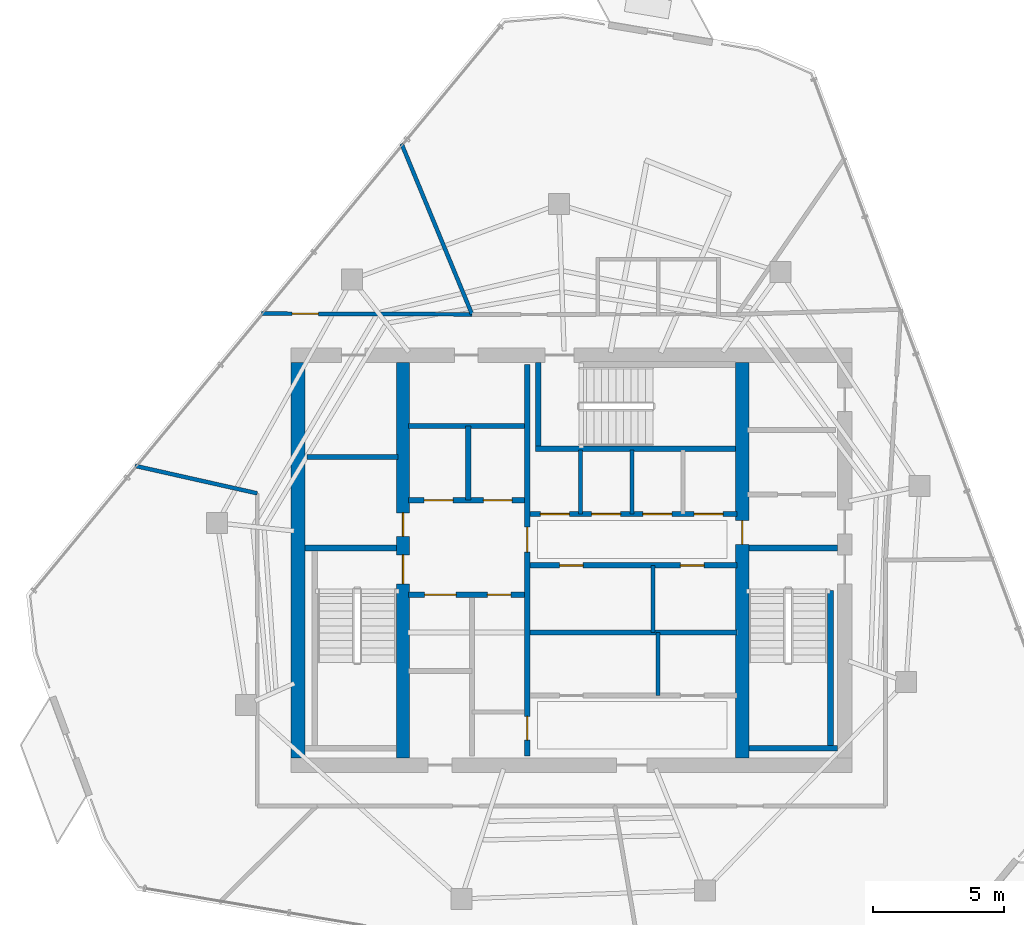
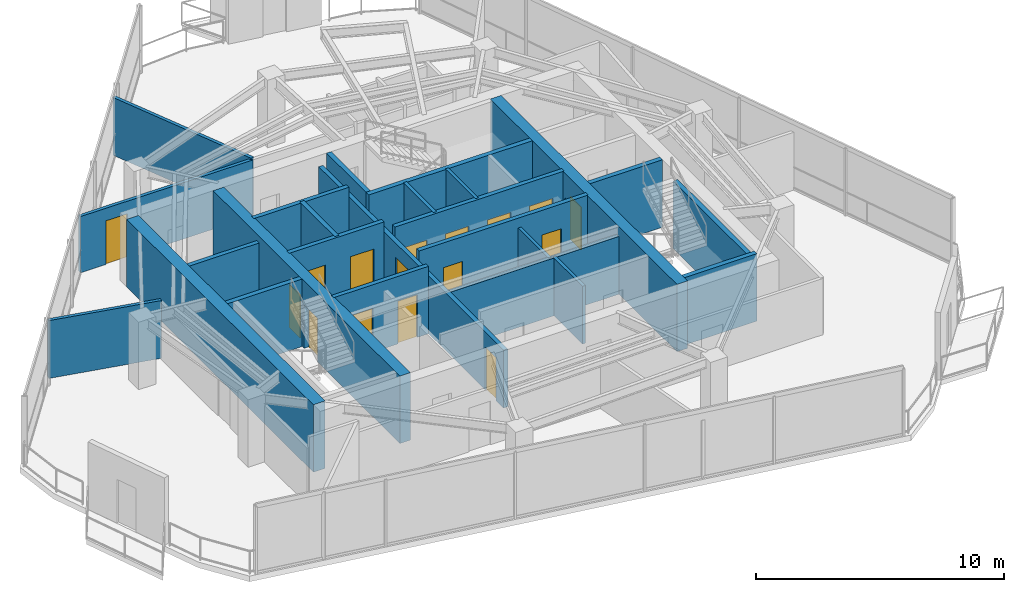
# One storey, part 15 of 19: 25 walls, 16 doors, 16 openings.
"""IFC4 building model written with IfcOpenShell, lengths in metres."""

from ifc_helpers import new_model, si_unit, direction, frame, frame_2d, origin, place, context, subcontext, project, spatial, rectangle, extrude, material, layer, layer_set, type_object, element, fill, save


model = new_model("IFC4")

# Units and contexts
model_context = context("Model", 3, precision=1e-05, world=origin(), true_north=direction((0.0, 1.0)))
body_context = subcontext(model_context, "Body", "Model", "MODEL_VIEW")
ifc_project = project(units=[si_unit("LENGTHUNIT", "METRE"), si_unit("AREAUNIT", "SQUARE_METRE"), si_unit("VOLUMEUNIT", "CUBIC_METRE"), si_unit("PLANEANGLEUNIT", "RADIAN"), si_unit("MASSUNIT", "GRAM", prefix="KILO")], contexts=[model_context])

# Site, building, storey
site_placement = place(None, origin())
site = spatial("IfcSite", under=ifc_project, at=site_placement, CompositionType="ELEMENT")
building_placement = place(site_placement, origin())
building = spatial("IfcBuilding", under=site, at=building_placement, Name="Qarnah Convention Tower", CompositionType="ELEMENT")
storey_placement = place(building_placement, frame((0.0, 0.0, 257.10009765625)))
storey = spatial("IfcBuildingStorey", under=building, at=storey_placement, Name="L69", CompositionType="ELEMENT", Elevation=257.10009765625)

# Wall
ifc_material_1 = material(Name="Concrete C60/75", Category="concrete")
ifc_layer_1 = layer(ifc_material_1, 0.550048828125)
ifc_layer_set_1 = layer_set([ifc_layer_1], Name="Concrete C60/75")
wall_type_1 = type_object("IfcWallType", Name="WL-CORE-550", PredefinedType="SHEAR", material=ifc_layer_set_1)
wall_1_placement = place(storey_placement, frame((26.800048828125, 18.875, 0.0), z_axis=(0.0, 0.0, 1.0), x_axis=(0.0, 1.0, 0.0)))
element("IfcWall", 1, at=wall_1_placement, inside=storey, type_object=wall_type_1, Name="L69 core west shear wall", PredefinedType="SHEAR", context=body_context, shape_type="SweptSolid", body=[
    extrude(rectangle(XDim=15.050048828125, YDim=0.550048828125, at=frame_2d((7.52490234375, 0.0))), origin(), (0.0, 0.0, 1.0), 3.31982421875),
])

# Wall, openings, doors
ifc_layer_2 = layer(ifc_material_1, 0.5)
ifc_layer_set_2 = layer_set([ifc_layer_2], Name="Concrete C60/75")
wall_type_2 = type_object("IfcWallType", Name="WL-CORE-INT-400", PredefinedType="SHEAR", material=ifc_layer_set_2)
wall_2_placement = place(storey_placement, frame((30.800048828125, 18.875, 0.0), z_axis=(0.0, 0.0, 1.0), x_axis=(0.0, 1.0, 0.0)))
wall_2 = element("IfcWall", 2, at=wall_2_placement, inside=storey, type_object=wall_type_2, Name="L69 core west spine shear wall", PredefinedType="SHEAR", context=body_context, shape_type="SweptSolid", body=[
    extrude(rectangle(XDim=15.050048828125, YDim=0.5, at=frame_2d((7.52490234375, 0.0))), origin(), (0.0, 0.0, 1.0), 3.31982421875),
])
opening_1_placement = place(wall_2_placement, frame((6.625, 0.0, 0.0)))
opening_1 = element("IfcOpeningElement", 3, at=opening_1_placement, cuts=wall_2, Name="Opening D-6901", PredefinedType="OPENING", context=body_context, shape_type="SweptSolid", body=[
    extrude(rectangle(XDim=1.10009765625, YDim=2.14990234375, at=frame_2d((0.550048828125, 1.074951171875))), frame((0.0, 0.260009765625, 0.0), z_axis=(0.0, -1.0, 0.0), x_axis=(1.0, 0.0, 0.0)), (0.0, 0.0, 1.0), 0.52001953125),
])
opening_2_placement = place(wall_2_placement, frame((8.425048828125, 0.0, 0.0)))
opening_2 = element("IfcOpeningElement", 4, at=opening_2_placement, cuts=wall_2, Name="Opening D-6908", PredefinedType="OPENING", context=body_context, shape_type="SweptSolid", body=[
    extrude(rectangle(XDim=0.89990234375, YDim=2.10009765625, at=frame_2d((0.449951171875, 1.050048828125))), frame((0.0, 0.260009765625, 0.0), z_axis=(0.0, -1.0, 0.0), x_axis=(1.0, 0.0, 0.0)), (0.0, 0.0, 1.0), 0.52001953125),
])
ifc_material_2 = material(Name="Structural steel S355JR", Category="steel")
door_type_1 = type_object("IfcDoorType", Name="DT-RISER-900", OperationType="NOTDEFINED", PredefinedType="DOOR", material=ifc_material_2)
door_1_placement = place(opening_2_placement, origin())
door_1 = element("IfcDoor", 5, at=door_1_placement, inside=storey, type_object=door_type_1, Name="Door D-6908", OperationType="SINGLE_SWING_RIGHT", OverallHeight=2.10009765625, OverallWidth=0.89990234375, PredefinedType="DOOR", context=body_context, shape_type="SweptSolid", body=[
    extrude(rectangle(XDim=0.89990234375, YDim=2.10009765625, at=frame_2d((0.449951171875, 1.050048828125))), frame((0.0, 0.02490234375, 0.0), z_axis=(0.0, -1.0, 0.0), x_axis=(1.0, 0.0, 0.0)), (0.0, 0.0, 1.0), 0.050048828125),
])
fill(opening_2, door_1)
door_type_2 = type_object("IfcDoorType", Name="DT-STAIR-1100", OperationType="NOTDEFINED", PredefinedType="DOOR", material=ifc_material_2)
door_2_placement = place(opening_1_placement, origin())
door_2 = element("IfcDoor", 6, at=door_2_placement, inside=storey, type_object=door_type_2, Name="Door D-6901", OperationType="SINGLE_SWING_LEFT", OverallHeight=2.14990234375, OverallWidth=1.10009765625, PredefinedType="DOOR", context=body_context, shape_type="SweptSolid", body=[
    extrude(rectangle(XDim=1.10009765625, YDim=2.14990234375, at=frame_2d((0.550048828125, 1.074951171875))), frame((0.0, 0.02490234375, 0.0), z_axis=(0.0, -1.0, 0.0), x_axis=(1.0, 0.0, 0.0)), (0.0, 0.0, 1.0), 0.050048828125),
])
fill(opening_1, door_2)

# Wall, opening, door
wall_3_placement = place(storey_placement, frame((43.699951171875, 18.875, 0.0), z_axis=(0.0, 0.0, 1.0), x_axis=(0.0, 1.0, 0.0)))
wall_3 = element("IfcWall", 7, at=wall_3_placement, inside=storey, type_object=wall_type_2, Name="L69 core east spine shear wall", PredefinedType="SHEAR", context=body_context, shape_type="SweptSolid", body=[
    extrude(rectangle(XDim=15.050048828125, YDim=0.5, at=frame_2d((7.52490234375, 0.0))), origin(), (0.0, 0.0, 1.0), 3.31982421875),
])
opening_3_placement = place(wall_3_placement, frame((8.125, 0.0, 0.0)))
opening_3 = element("IfcOpeningElement", 8, at=opening_3_placement, cuts=wall_3, Name="Opening D-6905", PredefinedType="OPENING", context=body_context, shape_type="SweptSolid", body=[
    extrude(rectangle(XDim=0.89990234375, YDim=2.10009765625, at=frame_2d((0.449951171875, 1.050048828125))), frame((0.0, 0.260009765625, 0.0), z_axis=(0.0, -1.0, 0.0), x_axis=(1.0, 0.0, 0.0)), (0.0, 0.0, 1.0), 0.52001953125),
])
door_3_placement = place(opening_3_placement, origin())
door_3 = element("IfcDoor", 9, at=door_3_placement, inside=storey, type_object=door_type_1, Name="Door D-6905", OperationType="SINGLE_SWING_LEFT", OverallHeight=2.10009765625, OverallWidth=0.89990234375, PredefinedType="DOOR", context=body_context, shape_type="SweptSolid", body=[
    extrude(rectangle(XDim=0.89990234375, YDim=2.10009765625, at=frame_2d((0.449951171875, 1.050048828125))), frame((0.0, 0.02490234375, 0.0), z_axis=(0.0, -1.0, 0.0), x_axis=(1.0, 0.0, 0.0)), (0.0, 0.0, 1.0), 0.050048828125),
])
fill(opening_3, door_3)

# Wall
ifc_material_3 = material(Name="Concrete C45/55", Category="concrete")
ifc_layer_3 = layer(ifc_material_3, 0.199951171875)
ifc_layer_set_3 = layer_set([ifc_layer_3], Name="Concrete C45/55")
wall_type_3 = type_object("IfcWallType", Name="WL-CORE-PART-200", PredefinedType="SOLIDWALL", material=ifc_layer_set_3)
wall_4_placement = place(storey_placement, frame((27.14990234375, 30.320068359375, 0.0), z_axis=(0.0, 0.0, 1.0), x_axis=(1.0, 0.0, 0.0)))
element("IfcWall", 10, at=wall_4_placement, inside=storey, type_object=wall_type_3, Name="L69 interior wall IW-L69-ELRN", PredefinedType="SOLIDWALL", context=body_context, shape_type="SweptSolid", body=[
    extrude(rectangle(XDim=3.4501953125, YDim=0.199951171875, at=frame_2d((1.72509765625, 0.0))), origin(), (0.0, 0.0, 1.0), 2.992919921875),
])

# Wall, openings, doors
wall_5_placement = place(storey_placement, frame((35.52001953125, 18.949951171875, 0.0), z_axis=(0.0, 0.0, 1.0), x_axis=(0.0, 1.0, 0.0)))
wall_5 = element("IfcWall", 11, at=wall_5_placement, inside=storey, type_object=wall_type_3, Name="L69 interior wall IW-L69-CSP", PredefinedType="SOLIDWALL", context=body_context, shape_type="SweptSolid", body=[
    extrude(rectangle(XDim=14.900146484375, YDim=0.199951171875, at=frame_2d((7.4501953125, 0.0))), origin(), (0.0, 0.0, 1.0), 2.8408203125),
])
opening_4_placement = place(wall_5_placement, frame((7.7548828125, 0.0, 0.0)))
opening_4 = element("IfcOpeningElement", 12, at=opening_4_placement, cuts=wall_5, Name="Opening D-6904", PredefinedType="OPENING", context=body_context, shape_type="SweptSolid", body=[
    extrude(rectangle(XDim=0.949951171875, YDim=2.14990234375, at=frame_2d((0.47509765625, 1.074951171875))), frame((0.0, 0.10986328125, 0.0), z_axis=(0.0, -1.0, 0.0), x_axis=(1.0, 0.0, 0.0)), (0.0, 0.0, 1.0), 0.219970703125),
])
opening_5_placement = place(wall_5_placement, frame((0.60009765625, 0.0, 0.0)))
opening_5 = element("IfcOpeningElement", 13, at=opening_5_placement, cuts=wall_5, Name="Opening D-6914", PredefinedType="OPENING", context=body_context, shape_type="SweptSolid", body=[
    extrude(rectangle(XDim=0.89990234375, YDim=2.10009765625, at=frame_2d((0.449951171875, 1.050048828125))), frame((0.0, 0.10986328125, 0.0), z_axis=(0.0, -1.0, 0.0), x_axis=(1.0, 0.0, 0.0)), (0.0, 0.0, 1.0), 0.219970703125),
])
ifc_material_4 = material(Name="Oak timber veneer", Category="wood")
door_type_3 = type_object("IfcDoorType", Name="DT-HOTEL-950", OperationType="NOTDEFINED", PredefinedType="DOOR", material=ifc_material_4)
door_4_placement = place(opening_4_placement, origin())
door_4 = element("IfcDoor", 14, at=door_4_placement, inside=storey, type_object=door_type_3, Name="Door D-6904", OperationType="SINGLE_SWING_RIGHT", OverallHeight=2.14990234375, OverallWidth=0.949951171875, PredefinedType="DOOR", context=body_context, shape_type="SweptSolid", body=[
    extrude(rectangle(XDim=0.949951171875, YDim=2.14990234375, at=frame_2d((0.47509765625, 1.074951171875))), frame((0.0, 0.02490234375, 0.0), z_axis=(0.0, -1.0, 0.0), x_axis=(1.0, 0.0, 0.0)), (0.0, 0.0, 1.0), 0.050048828125),
])
fill(opening_4, door_4)
door_5_placement = place(opening_5_placement, origin())
door_5 = element("IfcDoor", 15, at=door_5_placement, inside=storey, type_object=door_type_1, Name="Door D-6914", OperationType="SINGLE_SWING_RIGHT", OverallHeight=2.10009765625, OverallWidth=0.89990234375, PredefinedType="DOOR", context=body_context, shape_type="SweptSolid", body=[
    extrude(rectangle(XDim=0.89990234375, YDim=2.10009765625, at=frame_2d((0.449951171875, 1.050048828125))), frame((0.0, 0.02490234375, 0.0), z_axis=(0.0, -1.0, 0.0), x_axis=(1.0, 0.0, 0.0)), (0.0, 0.0, 1.0), 0.050048828125),
])
fill(opening_5, door_5)

wall_6_placement = place(storey_placement, frame((31.0, 28.679931640625, 0.0), z_axis=(0.0, 0.0, 1.0), x_axis=(1.0, 0.0, 0.0)))
wall_6 = element("IfcWall", 16, at=wall_6_placement, inside=storey, type_object=wall_type_3, Name="L69 interior wall IW-L69-FFLS", PredefinedType="SOLIDWALL", context=body_context, shape_type="SweptSolid", body=[
    extrude(rectangle(XDim=4.419921875, YDim=0.199951171875, at=frame_2d((2.2099609375, 0.0))), origin(), (0.0, 0.0, 1.0), 3.31982421875),
])
opening_6_placement = place(wall_6_placement, frame((0.60009765625, 0.0, 0.0)))
opening_6 = element("IfcOpeningElement", 17, at=opening_6_placement, cuts=wall_6, Name="Opening LD-6901", PredefinedType="OPENING", context=body_context, shape_type="SweptSolid", body=[
    extrude(rectangle(XDim=1.10009765625, YDim=2.14990234375, at=frame_2d((0.550048828125, 1.074951171875))), frame((0.0, 0.10986328125, 0.0), z_axis=(0.0, -1.0, 0.0), x_axis=(1.0, 0.0, 0.0)), (0.0, 0.0, 1.0), 0.219970703125),
])
opening_7_placement = place(wall_6_placement, frame((2.85009765625, 0.0, 0.0)))
opening_7 = element("IfcOpeningElement", 18, at=opening_7_placement, cuts=wall_6, Name="Opening LD-6902", PredefinedType="OPENING", context=body_context, shape_type="SweptSolid", body=[
    extrude(rectangle(XDim=1.10009765625, YDim=2.14990234375, at=frame_2d((0.550048828125, 1.074951171875))), frame((0.0, 0.10986328125, 0.0), z_axis=(0.0, -1.0, 0.0), x_axis=(1.0, 0.0, 0.0)), (0.0, 0.0, 1.0), 0.219970703125),
])
door_type_4 = type_object("IfcDoorType", Name="DT-LIFT-1100", OperationType="SLIDING_TO_LEFT", PredefinedType="DOOR", material=ifc_material_2)
door_6_placement = place(opening_6_placement, origin())
door_6 = element("IfcDoor", 19, at=door_6_placement, inside=storey, type_object=door_type_4, Name="Door LD-6901", OperationType="SLIDING_TO_LEFT", OverallHeight=2.14990234375, OverallWidth=1.10009765625, PredefinedType="DOOR", context=body_context, shape_type="SweptSolid", body=[
    extrude(rectangle(XDim=1.10009765625, YDim=2.14990234375, at=frame_2d((0.550048828125, 1.074951171875))), frame((0.0, 0.02490234375, 0.0), z_axis=(0.0, -1.0, 0.0), x_axis=(1.0, 0.0, 0.0)), (0.0, 0.0, 1.0), 0.050048828125),
])
fill(opening_6, door_6)
door_7_placement = place(opening_7_placement, origin())
door_7 = element("IfcDoor", 20, at=door_7_placement, inside=storey, type_object=door_type_4, Name="Door LD-6902", OperationType="SLIDING_TO_LEFT", OverallHeight=2.14990234375, OverallWidth=1.10009765625, PredefinedType="DOOR", context=body_context, shape_type="SweptSolid", body=[
    extrude(rectangle(XDim=1.10009765625, YDim=2.14990234375, at=frame_2d((0.550048828125, 1.074951171875))), frame((0.0, 0.02490234375, 0.0), z_axis=(0.0, -1.0, 0.0), x_axis=(1.0, 0.0, 0.0)), (0.0, 0.0, 1.0), 0.050048828125),
])
fill(opening_7, door_7)

# Walls
wall_7_placement = place(storey_placement, frame((31.0, 31.5, 0.0), z_axis=(0.0, 0.0, 1.0), x_axis=(1.0, 0.0, 0.0)))
element("IfcWall", 21, at=wall_7_placement, inside=storey, type_object=wall_type_3, Name="L69 interior wall IW-L69-FFLN", PredefinedType="SOLIDWALL", context=body_context, shape_type="SweptSolid", body=[
    extrude(rectangle(XDim=4.419921875, YDim=0.199951171875, at=frame_2d((2.2099609375, 0.0))), origin(), (0.0, 0.0, 1.0), 3.31982421875),
])
wall_8_placement = place(storey_placement, frame((33.280029296875, 28.679931640625, 0.0), z_axis=(0.0, 0.0, 1.0), x_axis=(0.0, 1.0, 0.0)))
element("IfcWall", 22, at=wall_8_placement, inside=storey, type_object=wall_type_3, Name="L69 interior wall IW-L69-FFLM", PredefinedType="SOLIDWALL", context=body_context, shape_type="SweptSolid", body=[
    extrude(rectangle(XDim=2.820068359375, YDim=0.199951171875, at=frame_2d((1.41015625, 0.0))), origin(), (0.0, 0.0, 1.0), 3.31982421875),
])

# Wall, openings, doors
wall_9_placement = place(storey_placement, frame((31.0, 25.080078125, 0.0), z_axis=(0.0, 0.0, 1.0), x_axis=(1.0, 0.0, 0.0)))
wall_9 = element("IfcWall", 23, at=wall_9_placement, inside=storey, type_object=wall_type_3, Name="L69 interior wall IW-L69-FFLBS", PredefinedType="SOLIDWALL", context=body_context, shape_type="SweptSolid", body=[
    extrude(rectangle(XDim=4.419921875, YDim=0.199951171875, at=frame_2d((2.2099609375, 0.0))), origin(), (0.0, 0.0, 1.0), 3.31982421875),
])
opening_8_placement = place(wall_9_placement, frame((3.0, 0.0, 0.0)))
opening_8 = element("IfcOpeningElement", 24, at=opening_8_placement, cuts=wall_9, Name="Opening D-6915", PredefinedType="OPENING", context=body_context, shape_type="SweptSolid", body=[
    extrude(rectangle(XDim=0.89990234375, YDim=2.10009765625, at=frame_2d((0.449951171875, 1.050048828125))), frame((0.0, 0.10986328125, 0.0), z_axis=(0.0, -1.0, 0.0), x_axis=(1.0, 0.0, 0.0)), (0.0, 0.0, 1.0), 0.219970703125),
])
opening_9_placement = place(wall_9_placement, frame((0.6201171875, 0.0, 0.0)))
opening_9 = element("IfcOpeningElement", 25, at=opening_9_placement, cuts=wall_9, Name="Opening LD-6903", PredefinedType="OPENING", context=body_context, shape_type="SweptSolid", body=[
    extrude(rectangle(XDim=1.199951171875, YDim=2.14990234375, at=frame_2d((0.60009765625, 1.074951171875))), frame((0.0, 0.10986328125, 0.0), z_axis=(0.0, -1.0, 0.0), x_axis=(1.0, 0.0, 0.0)), (0.0, 0.0, 1.0), 0.219970703125),
])
door_type_5 = type_object("IfcDoorType", Name="DT-LIFT-1200", OperationType="SLIDING_TO_LEFT", PredefinedType="DOOR", material=ifc_material_2)
door_8_placement = place(opening_9_placement, origin())
door_8 = element("IfcDoor", 26, at=door_8_placement, inside=storey, type_object=door_type_5, Name="Door LD-6903", OperationType="SLIDING_TO_LEFT", OverallHeight=2.14990234375, OverallWidth=1.199951171875, PredefinedType="DOOR", context=body_context, shape_type="SweptSolid", body=[
    extrude(rectangle(XDim=1.199951171875, YDim=2.14990234375, at=frame_2d((0.60009765625, 1.074951171875))), frame((0.0, 0.02490234375, 0.0), z_axis=(0.0, -1.0, 0.0), x_axis=(1.0, 0.0, 0.0)), (0.0, 0.0, 1.0), 0.050048828125),
])
fill(opening_9, door_8)
door_9_placement = place(opening_8_placement, origin())
door_9 = element("IfcDoor", 27, at=door_9_placement, inside=storey, type_object=door_type_1, Name="Door D-6915", OperationType="SINGLE_SWING_LEFT", OverallHeight=2.10009765625, OverallWidth=0.89990234375, PredefinedType="DOOR", context=body_context, shape_type="SweptSolid", body=[
    extrude(rectangle(XDim=0.89990234375, YDim=2.10009765625, at=frame_2d((0.449951171875, 1.050048828125))), frame((0.0, 0.02490234375, 0.0), z_axis=(0.0, -1.0, 0.0), x_axis=(1.0, 0.0, 0.0)), (0.0, 0.0, 1.0), 0.050048828125),
])
fill(opening_8, door_9)

wall_10_placement = place(storey_placement, frame((35.6201171875, 28.14990234375, 0.0), z_axis=(0.0, 0.0, 1.0), x_axis=(1.0, 0.0, 0.0)))
wall_10 = element("IfcWall", 28, at=wall_10_placement, inside=storey, type_object=wall_type_3, Name="L69 interior wall IW-L69-PHS", PredefinedType="SOLIDWALL", context=body_context, shape_type="SweptSolid", body=[
    extrude(rectangle(XDim=7.8798828125, YDim=0.199951171875, at=frame_2d((3.93994140625, 0.0))), origin(), (0.0, 0.0, 1.0), 3.31982421875),
])
opening_10_placement = place(wall_10_placement, frame((0.405029296875, 0.0, 0.0)))
opening_10 = element("IfcOpeningElement", 29, at=opening_10_placement, cuts=wall_10, Name="Opening LD-6904", PredefinedType="OPENING", context=body_context, shape_type="SweptSolid", body=[
    extrude(rectangle(XDim=1.10009765625, YDim=2.14990234375, at=frame_2d((0.550048828125, 1.074951171875))), frame((0.0, 0.10986328125, 0.0), z_axis=(0.0, -1.0, 0.0), x_axis=(1.0, 0.0, 0.0)), (0.0, 0.0, 1.0), 0.219970703125),
])
opening_11_placement = place(wall_10_placement, frame((2.35498046875, 0.0, 0.0)))
opening_11 = element("IfcOpeningElement", 30, at=opening_11_placement, cuts=wall_10, Name="Opening LD-6905", PredefinedType="OPENING", context=body_context, shape_type="SweptSolid", body=[
    extrude(rectangle(XDim=1.10009765625, YDim=2.14990234375, at=frame_2d((0.550048828125, 1.074951171875))), frame((0.0, 0.10986328125, 0.0), z_axis=(0.0, -1.0, 0.0), x_axis=(1.0, 0.0, 0.0)), (0.0, 0.0, 1.0), 0.219970703125),
])
opening_12_placement = place(wall_10_placement, frame((4.304931640625, 0.0, 0.0)))
opening_12 = element("IfcOpeningElement", 31, at=opening_12_placement, cuts=wall_10, Name="Opening LD-6906", PredefinedType="OPENING", context=body_context, shape_type="SweptSolid", body=[
    extrude(rectangle(XDim=1.10009765625, YDim=2.14990234375, at=frame_2d((0.550048828125, 1.074951171875))), frame((0.0, 0.10986328125, 0.0), z_axis=(0.0, -1.0, 0.0), x_axis=(1.0, 0.0, 0.0)), (0.0, 0.0, 1.0), 0.219970703125),
])
opening_13_placement = place(wall_10_placement, frame((6.2548828125, 0.0, 0.0)))
opening_13 = element("IfcOpeningElement", 32, at=opening_13_placement, cuts=wall_10, Name="Opening LD-6907", PredefinedType="OPENING", context=body_context, shape_type="SweptSolid", body=[
    extrude(rectangle(XDim=1.10009765625, YDim=2.14990234375, at=frame_2d((0.550048828125, 1.074951171875))), frame((0.0, 0.10986328125, 0.0), z_axis=(0.0, -1.0, 0.0), x_axis=(1.0, 0.0, 0.0)), (0.0, 0.0, 1.0), 0.219970703125),
])
door_10_placement = place(opening_10_placement, origin())
door_10 = element("IfcDoor", 33, at=door_10_placement, inside=storey, type_object=door_type_4, Name="Door LD-6904", OperationType="SLIDING_TO_LEFT", OverallHeight=2.14990234375, OverallWidth=1.10009765625, PredefinedType="DOOR", context=body_context, shape_type="SweptSolid", body=[
    extrude(rectangle(XDim=1.10009765625, YDim=2.14990234375, at=frame_2d((0.550048828125, 1.074951171875))), frame((0.0, 0.02490234375, 0.0), z_axis=(0.0, -1.0, 0.0), x_axis=(1.0, 0.0, 0.0)), (0.0, 0.0, 1.0), 0.050048828125),
])
fill(opening_10, door_10)
door_11_placement = place(opening_11_placement, origin())
door_11 = element("IfcDoor", 34, at=door_11_placement, inside=storey, type_object=door_type_4, Name="Door LD-6905", OperationType="SLIDING_TO_LEFT", OverallHeight=2.14990234375, OverallWidth=1.10009765625, PredefinedType="DOOR", context=body_context, shape_type="SweptSolid", body=[
    extrude(rectangle(XDim=1.10009765625, YDim=2.14990234375, at=frame_2d((0.550048828125, 1.074951171875))), frame((0.0, 0.02490234375, 0.0), z_axis=(0.0, -1.0, 0.0), x_axis=(1.0, 0.0, 0.0)), (0.0, 0.0, 1.0), 0.050048828125),
])
fill(opening_11, door_11)
door_12_placement = place(opening_12_placement, origin())
door_12 = element("IfcDoor", 35, at=door_12_placement, inside=storey, type_object=door_type_4, Name="Door LD-6906", OperationType="SLIDING_TO_LEFT", OverallHeight=2.14990234375, OverallWidth=1.10009765625, PredefinedType="DOOR", context=body_context, shape_type="SweptSolid", body=[
    extrude(rectangle(XDim=1.10009765625, YDim=2.14990234375, at=frame_2d((0.550048828125, 1.074951171875))), frame((0.0, 0.02490234375, 0.0), z_axis=(0.0, -1.0, 0.0), x_axis=(1.0, 0.0, 0.0)), (0.0, 0.0, 1.0), 0.050048828125),
])
fill(opening_12, door_12)
door_13_placement = place(opening_13_placement, origin())
door_13 = element("IfcDoor", 36, at=door_13_placement, inside=storey, type_object=door_type_4, Name="Door LD-6907", OperationType="SLIDING_TO_LEFT", OverallHeight=2.14990234375, OverallWidth=1.10009765625, PredefinedType="DOOR", context=body_context, shape_type="SweptSolid", body=[
    extrude(rectangle(XDim=1.10009765625, YDim=2.14990234375, at=frame_2d((0.550048828125, 1.074951171875))), frame((0.0, 0.02490234375, 0.0), z_axis=(0.0, -1.0, 0.0), x_axis=(1.0, 0.0, 0.0)), (0.0, 0.0, 1.0), 0.050048828125),
])
fill(opening_13, door_13)

wall_11_placement = place(storey_placement, frame((35.6201171875, 26.199951171875, 0.0), z_axis=(0.0, 0.0, 1.0), x_axis=(1.0, 0.0, 0.0)))
wall_11 = element("IfcWall", 37, at=wall_11_placement, inside=storey, type_object=wall_type_3, Name="L69 interior wall IW-L69-PMN", PredefinedType="SOLIDWALL", context=body_context, shape_type="SweptSolid", body=[
    extrude(rectangle(XDim=7.8798828125, YDim=0.199951171875, at=frame_2d((3.93994140625, 0.0))), origin(), (0.0, 0.0, 1.0), 3.31982421875),
])
opening_14_placement = place(wall_11_placement, frame((1.1298828125, 0.0, 0.0)))
opening_14 = element("IfcOpeningElement", 38, at=opening_14_placement, cuts=wall_11, Name="Opening D-6918", PredefinedType="OPENING", context=body_context, shape_type="SweptSolid", body=[
    extrude(rectangle(XDim=0.89990234375, YDim=2.10009765625, at=frame_2d((0.449951171875, 1.050048828125))), frame((0.0, 0.10986328125, 0.0), z_axis=(0.0, -1.0, 0.0), x_axis=(1.0, 0.0, 0.0)), (0.0, 0.0, 1.0), 0.219970703125),
])
opening_15_placement = place(wall_11_placement, frame((5.72998046875, 0.0, 0.0)))
opening_15 = element("IfcOpeningElement", 39, at=opening_15_placement, cuts=wall_11, Name="Opening D-6919", PredefinedType="OPENING", context=body_context, shape_type="SweptSolid", body=[
    extrude(rectangle(XDim=0.89990234375, YDim=2.10009765625, at=frame_2d((0.449951171875, 1.050048828125))), frame((0.0, 0.10986328125, 0.0), z_axis=(0.0, -1.0, 0.0), x_axis=(1.0, 0.0, 0.0)), (0.0, 0.0, 1.0), 0.219970703125),
])
door_14_placement = place(opening_14_placement, origin())
door_14 = element("IfcDoor", 40, at=door_14_placement, inside=storey, type_object=door_type_1, Name="Door D-6918", OperationType="SINGLE_SWING_RIGHT", OverallHeight=2.10009765625, OverallWidth=0.89990234375, PredefinedType="DOOR", context=body_context, shape_type="SweptSolid", body=[
    extrude(rectangle(XDim=0.89990234375, YDim=2.10009765625, at=frame_2d((0.449951171875, 1.050048828125))), frame((0.0, 0.02490234375, 0.0), z_axis=(0.0, -1.0, 0.0), x_axis=(1.0, 0.0, 0.0)), (0.0, 0.0, 1.0), 0.050048828125),
])
fill(opening_14, door_14)
door_15_placement = place(opening_15_placement, origin())
door_15 = element("IfcDoor", 41, at=door_15_placement, inside=storey, type_object=door_type_1, Name="Door D-6919", OperationType="SINGLE_SWING_LEFT", OverallHeight=2.10009765625, OverallWidth=0.89990234375, PredefinedType="DOOR", context=body_context, shape_type="SweptSolid", body=[
    extrude(rectangle(XDim=0.89990234375, YDim=2.10009765625, at=frame_2d((0.449951171875, 1.050048828125))), frame((0.0, 0.02490234375, 0.0), z_axis=(0.0, -1.0, 0.0), x_axis=(1.0, 0.0, 0.0)), (0.0, 0.0, 1.0), 0.050048828125),
])
fill(opening_15, door_15)

# Walls
wall_12_placement = place(storey_placement, frame((35.6201171875, 23.64990234375, 0.0), z_axis=(0.0, 0.0, 1.0), x_axis=(1.0, 0.0, 0.0)))
element("IfcWall", 42, at=wall_12_placement, inside=storey, type_object=wall_type_3, Name="L69 interior wall IW-L69-PMPL", PredefinedType="SOLIDWALL", context=body_context, shape_type="SweptSolid", body=[
    extrude(rectangle(XDim=7.8798828125, YDim=0.199951171875, at=frame_2d((3.93994140625, 0.0))), origin(), (0.0, 0.0, 1.0), 2.8408203125),
])
ifc_layer_4 = layer(ifc_material_1, 0.219970703125)
ifc_layer_set_4 = layer_set([ifc_layer_4], Name="Concrete C60/75")
wall_type_4 = type_object("IfcWallType", Name="WL-CORE-STAIR-220", PredefinedType="SHEAR", material=ifc_layer_set_4)
wall_13_placement = place(storey_placement, frame((27.074951171875, 26.860107421875, 0.0), z_axis=(0.0, 0.0, 1.0), x_axis=(1.0, 0.0, 0.0)))
element("IfcWall", 43, at=wall_13_placement, inside=storey, type_object=wall_type_4, Name="L69 stair shaft shear wall SW-L69-ST1N", PredefinedType="SHEAR", context=body_context, shape_type="SweptSolid", body=[
    extrude(rectangle(XDim=3.47509765625, YDim=0.219970703125, at=frame_2d((1.737548828125, 0.0))), origin(), (0.0, 0.0, 1.0), 3.31982421875),
])
wall_14_placement = place(storey_placement, frame((43.949951171875, 26.860107421875, 0.0), z_axis=(0.0, 0.0, 1.0), x_axis=(1.0, 0.0, 0.0)))
element("IfcWall", 44, at=wall_14_placement, inside=storey, type_object=wall_type_4, Name="L69 stair shaft shear wall SW-L69-ST2N", PredefinedType="SHEAR", context=body_context, shape_type="SweptSolid", body=[
    extrude(rectangle(XDim=3.375, YDim=0.219970703125, at=frame_2d((1.6875, 0.0))), origin(), (0.0, 0.0, 1.0), 3.31982421875),
])
wall_15_placement = place(storey_placement, frame((47.06005859375, 19.35009765625, 0.0), z_axis=(0.0, 0.0, 1.0), x_axis=(0.0, 1.0, 0.0)))
element("IfcWall", 45, at=wall_15_placement, inside=storey, type_object=wall_type_4, Name="L69 stair shaft shear wall SW-L69-ST2E", PredefinedType="SHEAR", context=body_context, shape_type="SweptSolid", body=[
    extrude(rectangle(XDim=5.89990234375, YDim=0.219970703125, at=frame_2d((2.949951171875, 0.0))), origin(), (0.0, 0.0, 1.0), 3.31982421875),
])
wall_16_placement = place(storey_placement, frame((43.949951171875, 19.239990234375, 0.0), z_axis=(0.0, 0.0, 1.0), x_axis=(1.0, 0.0, 0.0)))
element("IfcWall", 46, at=wall_16_placement, inside=storey, type_object=wall_type_4, Name="L69 stair shaft shear wall SW-L69-ST2S", PredefinedType="SHEAR", context=body_context, shape_type="SweptSolid", body=[
    extrude(rectangle(XDim=3.375, YDim=0.219970703125, at=frame_2d((1.6875, 0.0))), origin(), (0.0, 0.0, 1.0), 3.31982421875),
])
wall_17_placement = place(storey_placement, frame((35.840087890625, 30.639892578125, 0.0), z_axis=(0.0, 0.0, 1.0), x_axis=(1.0, 0.0, 0.0)))
element("IfcWall", 47, at=wall_17_placement, inside=storey, type_object=wall_type_4, Name="L69 stair shaft shear wall SW-L69-ST3S", PredefinedType="SHEAR", context=body_context, shape_type="SweptSolid", body=[
    extrude(rectangle(XDim=7.60986328125, YDim=0.219970703125, at=frame_2d((3.804931640625, 0.0))), origin(), (0.0, 0.0, 1.0), 3.31982421875),
])
wall_18_placement = place(storey_placement, frame((35.93994140625, 30.75, 0.0), z_axis=(0.0, 0.0, 1.0), x_axis=(0.0, 1.0, 0.0)))
element("IfcWall", 48, at=wall_18_placement, inside=storey, type_object=wall_type_4, Name="L69 stair shaft shear wall SW-L69-ST3W", PredefinedType="SHEAR", context=body_context, shape_type="SweptSolid", body=[
    extrude(rectangle(XDim=3.175048828125, YDim=0.219970703125, at=frame_2d((1.58740234375, 0.0))), origin(), (0.0, 0.0, 1.0), 3.31982421875),
])
ifc_material_5 = material(Name="Gypsum partition board")
ifc_layer_5 = layer(ifc_material_5, 0.14990234375)
ifc_layer_set_5 = layer_set([ifc_layer_5], Name="Gypsum partition board")
wall_type_5 = type_object("IfcWallType", Name="WL-SUITE-150", PredefinedType="PARTITIONING", material=ifc_layer_set_5)
for number, where, z_axis, x_axis, name in (
    (49, (37.550048828125, 28.14990234375, 0.0), (0.0, 0.0, 1.0), (0.0, 1.0, 0.0), "L69 interior wall IW-L69-PHD1"),
    (50, (39.5, 28.14990234375, 0.0), (0.0, 0.0, 1.0), (0.0, 1.0, 0.0), "L69 interior wall IW-L69-PHD2"),
):
    element("IfcWall", number, at=place(storey_placement, frame(where, z_axis=z_axis, x_axis=x_axis)), inside=storey, type_object=wall_type_5, Name=name, PredefinedType="PARTITIONING", context=body_context, shape_type="SweptSolid", body=[
        extrude(rectangle(XDim=2.43017578125, YDim=0.14990234375, at=frame_2d((1.215087890625, 0.0))), origin(), (0.0, 0.0, 1.0), 3.31982421875),
    ])
wall_19_placement = place(storey_placement, frame((40.300048828125, 23.64990234375, 0.0), z_axis=(0.0, 0.0, 1.0), x_axis=(0.0, 1.0, 0.0)))
element("IfcWall", 51, at=wall_19_placement, inside=storey, type_object=wall_type_5, Name="L69 interior wall IW-L69-PMFD", PredefinedType="PARTITIONING", context=body_context, shape_type="SweptSolid", body=[
    extrude(rectangle(XDim=2.550048828125, YDim=0.14990234375, at=frame_2d((1.27490234375, 0.0))), origin(), (0.0, 0.0, 1.0), 2.8408203125),
])
wall_20_placement = place(storey_placement, frame((40.5, 21.25, 0.0), z_axis=(0.0, 0.0, 1.0), x_axis=(0.0, 1.0, 0.0)))
element("IfcWall", 52, at=wall_20_placement, inside=storey, type_object=wall_type_5, Name="L69 interior wall IW-L69-PLFD", PredefinedType="PARTITIONING", context=body_context, shape_type="SweptSolid", body=[
    extrude(rectangle(XDim=2.39990234375, YDim=0.14990234375, at=frame_2d((1.199951171875, 0.0))), origin(), (0.0, 0.0, 1.0), 2.8408203125),
])
wall_21_placement = place(storey_placement, frame((30.739013671875, 42.240966796875, 0.0), z_axis=(0.0, 0.0, 1.0), x_axis=(0.382009956204, -0.924158207971, 0.0)))
element("IfcWall", 53, at=wall_21_placement, inside=storey, type_object=wall_type_5, Name="L69 interior wall IW-L69-R-12", PredefinedType="PARTITIONING", context=body_context, shape_type="SweptSolid", body=[
    extrude(rectangle(XDim=7.023681640625, YDim=0.14990234375, at=frame_2d((3.51171875, 0.0))), origin(), (0.0, 0.0, 1.0), 2.844970703125),
])

# Wall, opening, door
wall_22_placement = place(storey_placement, frame((25.403076171875, 35.777099609375, 0.0), z_axis=(0.0, 0.0, 1.0), x_axis=(0.999994289853, -0.003379387632, 0.0)))
wall_22 = element("IfcWall", 54, at=wall_22_placement, inside=storey, type_object=wall_type_5, Name="L69 interior wall IW-L69-R-15", PredefinedType="PARTITIONING", context=body_context, shape_type="SweptSolid", body=[
    extrude(rectangle(XDim=8.01904296875, YDim=0.14990234375, at=frame_2d((4.009521484375, 0.0))), origin(), (0.0, 0.0, 1.0), 2.768798828125),
])
opening_16_placement = place(wall_22_placement, frame((1.174072265625, 0.0, 0.0)))
opening_16 = element("IfcOpeningElement", 55, at=opening_16_placement, cuts=wall_22, Name="Opening D-6924", PredefinedType="OPENING", context=body_context, shape_type="SweptSolid", body=[
    extrude(rectangle(XDim=1.0, YDim=2.14990234375, at=frame_2d((0.5, 1.074951171875))), frame((0.0, 0.0849609375, 0.0), z_axis=(0.0, -1.0, 0.0), x_axis=(1.0, 0.0, 0.0)), (0.0, 0.0, 1.0), 0.169921875),
])
door_type_6 = type_object("IfcDoorType", Name="DT-OFFICE-1000", OperationType="NOTDEFINED", PredefinedType="DOOR", material=ifc_material_4)
door_16_placement = place(opening_16_placement, origin())
door_16 = element("IfcDoor", 56, at=door_16_placement, inside=storey, type_object=door_type_6, Name="Door D-6924", OperationType="SINGLE_SWING_RIGHT", OverallHeight=2.14990234375, OverallWidth=1.0, PredefinedType="DOOR", context=body_context, shape_type="SweptSolid", body=[
    extrude(rectangle(XDim=1.0, YDim=2.14990234375, at=frame_2d((0.5, 1.074951171875))), frame((0.0, 0.02490234375, 0.0), z_axis=(0.0, -1.0, 0.0), x_axis=(1.0, 0.0, 0.0)), (0.0, 0.0, 1.0), 0.050048828125),
])
fill(opening_16, door_16)

# Wall
wall_23_placement = place(storey_placement, frame((25.25, 28.93994140625, 0.0), z_axis=(0.0, 0.0, 1.0), x_axis=(-0.975657454932, 0.219300092648, 0.0)))
element("IfcWall", 57, at=wall_23_placement, inside=storey, type_object=wall_type_5, Name="L69 interior wall IW-L69-R-19", PredefinedType="PARTITIONING", context=body_context, shape_type="SweptSolid", body=[
    extrude(rectangle(XDim=4.765869140625, YDim=0.14990234375, at=frame_2d((2.3828125, 0.0))), origin(), (0.0, 0.0, 1.0), 2.844970703125),
])

save(model, "model.ifc")
